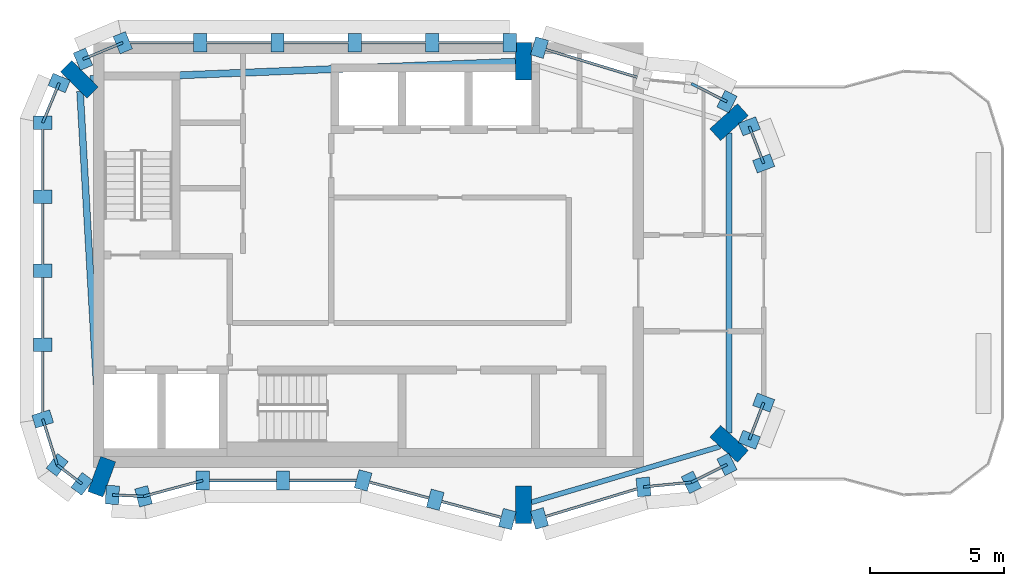
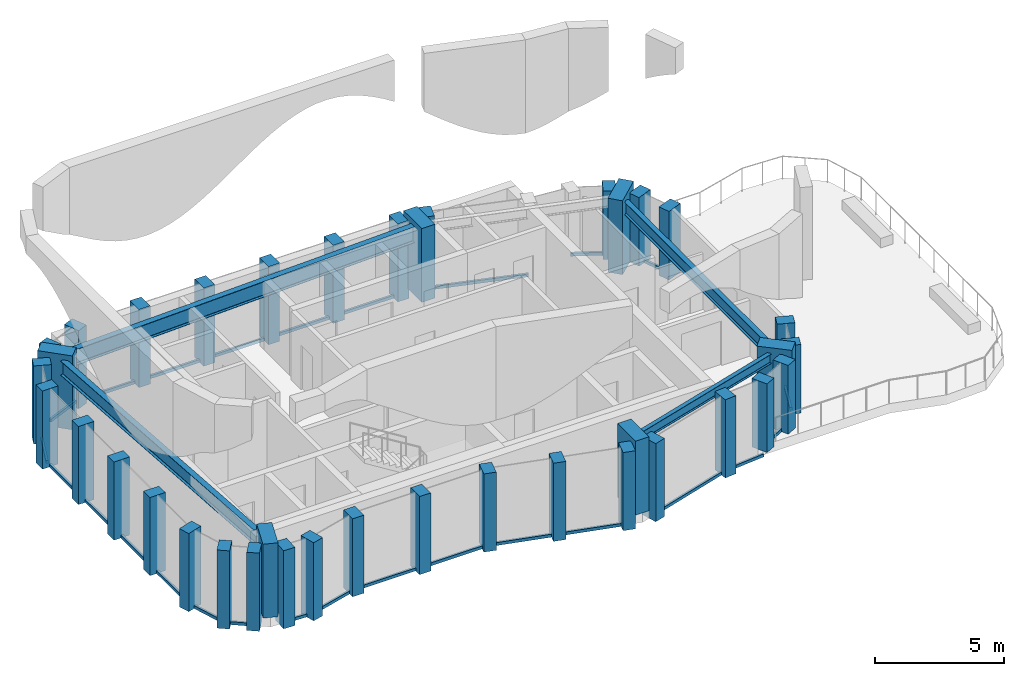
# One storey, part 1 of 7: 49 members, 6 columns, 4 beams, 17 elements without a shape of their own.
"""IFC4 building model written with IfcOpenShell, lengths in metres."""

from ifc_helpers import new_model, si_unit, direction, frame, origin, origin_2d, place, context, subcontext, project, spatial, rectangle, i_section, extrude, material, layer, layer_set, material_profile, profile_set, type_object, element, aggregate, save


model = new_model("IFC4")

# Units and contexts
model_context = context("Model", 3, precision=1e-05, world=origin(), true_north=direction((0.0, 1.0)))
body_context = subcontext(model_context, "Body", "Model", "MODEL_VIEW")
ifc_project = project(units=[si_unit("LENGTHUNIT", "METRE"), si_unit("AREAUNIT", "SQUARE_METRE"), si_unit("VOLUMEUNIT", "CUBIC_METRE"), si_unit("PLANEANGLEUNIT", "RADIAN"), si_unit("MASSUNIT", "GRAM", prefix="KILO")], contexts=[model_context])

# Site, building, storey
site_placement = place(None, origin())
site = spatial("IfcSite", under=ifc_project, at=site_placement, CompositionType="ELEMENT")
building_placement = place(site_placement, origin())
building = spatial("IfcBuilding", under=site, at=building_placement, Name="Plateau Cross Towers", CompositionType="ELEMENT")
storey_placement = place(building_placement, frame((0.0, 0.0, 301.89990234375)))
storey = spatial("IfcBuildingStorey", under=building, at=storey_placement, Name="L80 Crown 3", CompositionType="ELEMENT", Elevation=301.89990234375)

# Columns
ifc_material_1 = material(Name="Concrete C60/75", Category="concrete")
ifc_material_profile_1 = material_profile(ifc_material_1, rectangle(XDim=0.60009765625, YDim=1.39990234375, at=origin_2d()), Name="RC 600x1400")
ifc_profile_set_1 = profile_set([ifc_material_profile_1], Name="Concrete C60/75")
column_type = type_object("IfcColumnType", Name="Fin pier column RC 600x1400", PredefinedType="COLUMN", material=ifc_profile_set_1)
for number, where, z_axis, x_axis, name in (
    (1, (18.0, 0.699951171875, 0.0), (0.0, 0.0, 1.0), (1.0, 0.0, 0.0), "PR1 L80 Crown 3"),
    (2, (25.703125, 2.97705078125, 0.0), (0.0, 0.0, 1.0), (0.672084253376, 0.740474683135, 0.0), "PR19 L80 Crown 3"),
    (3, (25.703125, 15.02294921875, 0.0), (0.0, 0.0, 1.0), (-0.672084253376, 0.740474683135, 0.0), "PR20 L80 Crown 3"),
    (4, (18.0, 17.300048828125, 0.0), (0.0, 0.0, 1.0), (1.0, 0.0, 0.0), "PR13 L80 Crown 3"),
    (5, (1.37353515625, 16.62646484375, 0.0), (0.0, 0.0, 1.0), (0.707106781187, 0.707106781187, 0.0), "PR14 L80 Crown 3"),
    (6, (2.213134765625, 1.748046875, 0.0), (0.0, 0.0, 1.0), (-0.939664280925, 0.342097996418, 0.0), "PR12 L80 Crown 3"),
):
    element("IfcColumn", number, at=place(storey_placement, frame(where, z_axis=z_axis, x_axis=x_axis)), inside=storey, type_object=column_type, Name=name, PredefinedType="COLUMN", context=body_context, shape_type="SweptSolid", body=[
        extrude(rectangle(XDim=0.60009765625, YDim=1.39990234375, at=origin_2d()), origin(), (0.0, 0.0, 1.0), 3.5),
    ])

# Beams
ifc_material_2 = material(Name="Steel S355", Category="steel")
ifc_material_profile_2 = material_profile(ifc_material_2, i_section(OverallWidth=0.18994140625, OverallDepth=0.453369140625, WebThickness=0.008544921875, FlangeThickness=0.0126953125, FilletRadius=0.01025390625, at=origin_2d()), Name="UB 457x191x67")
ifc_profile_set_2 = profile_set([ifc_material_profile_2], Name="Steel S355")
beam_type_1 = type_object("IfcBeamType", Name="Crown ring beam UB 457x191x67", PredefinedType="BEAM", material=ifc_profile_set_2)
beam_1_placement = place(storey_placement, frame((18.300048828125, 0.78857421875, 3.0234375), z_axis=(0.958969404993, 0.283509577064, 0.0), x_axis=(-0.283509577064, 0.958969404993, 0.0)))
element("IfcBeam", 7, at=beam_1_placement, inside=storey, type_object=beam_type_1, Name="CRB-L80 Crown 3-01", PredefinedType="BEAM", context=body_context, shape_type="SweptSolid", body=[
    extrude(i_section(OverallWidth=0.18994140625, OverallDepth=0.453369140625, WebThickness=0.008544921875, FlangeThickness=0.0126953125, FilletRadius=0.01025390625, at=origin_2d()), origin(), (0.0, 0.0, 1.0), 7.36865234375),
])
ifc_material_profile_3 = material_profile(ifc_material_2, i_section(OverallWidth=0.228271484375, OverallDepth=0.607666015625, WebThickness=0.010986328125, FlangeThickness=0.017333984375, FilletRadius=0.0126953125, at=origin_2d()), Name="UB 610x229x113")
ifc_profile_set_3 = profile_set([ifc_material_profile_3], Name="Steel S355")
beam_type_2 = type_object("IfcBeamType", Name="Crown ring beam UB 610x229x113", PredefinedType="BEAM", material=ifc_profile_set_3)
beam_2_placement = place(storey_placement, frame((25.703125, 3.38232421875, 2.9462890625), z_axis=(0.0, 1.0, 0.0), x_axis=(-1.0, 0.0, 0.0)))
element("IfcBeam", 8, at=beam_2_placement, inside=storey, type_object=beam_type_2, Name="CRB-L80 Crown 3-02", PredefinedType="BEAM", context=body_context, shape_type="SweptSolid", body=[
    extrude(i_section(OverallWidth=0.228271484375, OverallDepth=0.607666015625, WebThickness=0.010986328125, FlangeThickness=0.017333984375, FilletRadius=0.0126953125, at=origin_2d()), origin(), (0.0, 0.0, 1.0), 11.2353515625),
])
ifc_material_profile_4 = material_profile(ifc_material_2, i_section(OverallWidth=0.2529296875, OverallDepth=0.677978515625, WebThickness=0.01171875, FlangeThickness=0.01611328125, FilletRadius=0.01513671875, at=origin_2d()), Name="UB 686x254x125")
ifc_profile_set_4 = profile_set([ifc_material_profile_4], Name="Steel S355")
beam_type_3 = type_object("IfcBeamType", Name="Crown ring beam UB 686x254x125", PredefinedType="BEAM", material=ifc_profile_set_4)
beam_3_placement = place(storey_placement, frame((1.39892578125, 16.1767578125, 2.9111328125), z_axis=(0.056348976318, -0.998411134187, 0.0), x_axis=(0.998411134187, 0.056348976318, 0.0)))
element("IfcBeam", 9, at=beam_3_placement, inside=storey, type_object=beam_type_3, Name="CRB-L80 Crown 3-05", PredefinedType="BEAM", context=body_context, shape_type="SweptSolid", body=[
    extrude(i_section(OverallWidth=0.2529296875, OverallDepth=0.677978515625, WebThickness=0.01171875, FlangeThickness=0.01611328125, FilletRadius=0.01513671875, at=origin_2d()), origin(), (0.0, 0.0, 1.0), 13.691162109375),
])
ifc_material_profile_5 = material_profile(ifc_material_2, i_section(OverallWidth=0.26513671875, OverallDepth=0.75390625, WebThickness=0.0126953125, FlangeThickness=0.017578125, FilletRadius=0.0166015625, at=origin_2d()), Name="UB 762x267x147")
ifc_profile_set_5 = profile_set([ifc_material_profile_5], Name="Steel S355")
beam_type_4 = type_object("IfcBeamType", Name="Crown ring beam UB 762x267x147", PredefinedType="BEAM", material=ifc_profile_set_5)
beam_4_placement = place(storey_placement, frame((17.699951171875, 17.287841796875, 2.873046875), z_axis=(-0.999180065047, -0.040487005488, 0.0), x_axis=(0.040487005488, -0.999180065047, 0.0)))
element("IfcBeam", 10, at=beam_4_placement, inside=storey, type_object=beam_type_4, Name="CRB-L80 Crown 3-04", PredefinedType="BEAM", context=body_context, shape_type="SweptSolid", body=[
    extrude(i_section(OverallWidth=0.26513671875, OverallDepth=0.75390625, WebThickness=0.0126953125, FlangeThickness=0.017578125, FilletRadius=0.0166015625, at=origin_2d()), origin(), (0.0, 0.0, 1.0), 15.931640625),
])

# Curtain wall, member
ifc_material_3 = material(Name="Dark low-iron glass", Category="glass")
ifc_layer = layer(ifc_material_3, 0.800048828125)
ifc_layer_set = layer_set([ifc_layer], Name="Dark low-iron glass")
curtain_wall_type = type_object("IfcCurtainWallType", Name="Curtain wall sky lounge CW-D", PredefinedType="NOTDEFINED", material=ifc_layer_set)
curtain_wall_1_placement = place(storey_placement, origin())
curtain_wall_1 = element("IfcCurtainWall", 11, at=curtain_wall_1_placement, inside=storey, type_object=curtain_wall_type, Name="ENV/A/L80 Crown 3/A38_10", PredefinedType="NOTDEFINED")
ifc_material_4 = material(Name="Black anodised aluminium", Category="aluminium")
ifc_material_profile_6 = material_profile(ifc_material_4, rectangle(XDim=0.5, YDim=0.699951171875, at=origin_2d()), Name="MULLION 500x700")
ifc_profile_set_6 = profile_set([ifc_material_profile_6], Name="Black anodised aluminium")
member_type_1 = type_object("IfcMemberType", Name="Mullion 500x700 sky lounge", PredefinedType="MULLION", material=ifc_profile_set_6)
member_1_placement = place(storey_placement, frame((3.776123046875, 1.01123046875, -0.449951171875), z_axis=(0.0, 0.0, 1.0), x_axis=(0.965957962328, 0.258699081978, 0.0)))
member_1 = element("IfcMember", 12, at=member_1_placement, type_object=member_type_1, Name="CW-D mullion 1", PredefinedType="MULLION", context=body_context, shape_type="SweptSolid", body=[
    extrude(rectangle(XDim=0.5, YDim=0.699951171875, at=origin_2d()), origin(), (0.0, 0.0, 1.0), 3.699951171875),
])

# Curtain wall, members
curtain_wall_2_placement = place(storey_placement, origin())
curtain_wall_2 = element("IfcCurtainWall", 13, at=curtain_wall_2_placement, inside=storey, type_object=curtain_wall_type, Name="ENV/A/L80 Crown 3/A60_16", PredefinedType="NOTDEFINED")
member_2_placement = place(storey_placement, frame((6.0, 1.60693359375, -0.449951171875), z_axis=(0.0, 0.0, 1.0), x_axis=(1.0, 0.0, 0.0)))
member_2 = element("IfcMember", 14, at=member_2_placement, type_object=member_type_1, Name="CW-D mullion 1", PredefinedType="MULLION", context=body_context, shape_type="SweptSolid", body=[
    extrude(rectangle(XDim=0.5, YDim=0.699951171875, at=origin_2d()), origin(), (0.0, 0.0, 1.0), 3.699951171875),
])
member_3_placement = place(storey_placement, frame((9.0, 1.60693359375, -0.449951171875), z_axis=(0.0, 0.0, 1.0), x_axis=(1.0, 0.0, 0.0)))
member_3 = element("IfcMember", 15, at=member_3_placement, type_object=member_type_1, Name="CW-D mullion 2", PredefinedType="MULLION", context=body_context, shape_type="SweptSolid", body=[
    extrude(rectangle(XDim=0.5, YDim=0.699951171875, at=origin_2d()), origin(), (0.0, 0.0, 1.0), 3.699951171875),
])

curtain_wall_3_placement = place(storey_placement, origin())
curtain_wall_3 = element("IfcCurtainWall", 16, at=curtain_wall_3_placement, inside=storey, type_object=curtain_wall_type, Name="ENV/A/L80 Crown 3/A120_16", PredefinedType="NOTDEFINED")
member_4_placement = place(storey_placement, frame((12.0, 1.60693359375, -0.449951171875), z_axis=(0.0, 0.0, 1.0), x_axis=(0.965957983404, -0.258699003279, 0.0)))
member_4 = element("IfcMember", 17, at=member_4_placement, type_object=member_type_1, Name="CW-D mullion 1", PredefinedType="MULLION", context=body_context, shape_type="SweptSolid", body=[
    extrude(rectangle(XDim=0.5, YDim=0.699951171875, at=origin_2d()), origin(), (0.0, 0.0, 1.0), 3.699951171875),
])
member_5_placement = place(storey_placement, frame((14.70166015625, 0.88330078125, -0.449951171875), z_axis=(0.0, 0.0, 1.0), x_axis=(0.965957983404, -0.258699003279, 0.0)))
member_5 = element("IfcMember", 18, at=member_5_placement, type_object=member_type_1, Name="CW-D mullion 2", PredefinedType="MULLION", context=body_context, shape_type="SweptSolid", body=[
    extrude(rectangle(XDim=0.5, YDim=0.699951171875, at=origin_2d()), origin(), (0.0, 0.0, 1.0), 3.699951171875),
])
member_6_placement = place(storey_placement, frame((17.403076171875, 0.159912109375, -0.449951171875), z_axis=(0.0, 0.0, 1.0), x_axis=(0.965957983404, -0.258699003279, 0.0)))
member_6 = element("IfcMember", 19, at=member_6_placement, type_object=member_type_1, Name="CW-D mullion 3", PredefinedType="MULLION", context=body_context, shape_type="SweptSolid", body=[
    extrude(rectangle(XDim=0.5, YDim=0.699951171875, at=origin_2d()), origin(), (0.0, 0.0, 1.0), 3.699951171875),
])

# Curtain wall, member
curtain_wall_4_placement = place(storey_placement, origin())
curtain_wall_4 = element("IfcCurtainWall", 20, at=curtain_wall_4_placement, inside=storey, type_object=curtain_wall_type, Name="ENV/A/L80 Crown 3/A186_2", PredefinedType="NOTDEFINED")
member_7_placement = place(storey_placement, frame((18.60546875, 0.183349609375, -0.449951171875), z_axis=(0.0, 0.0, 1.0), x_axis=(0.957048328724, 0.289928433386, 0.0)))
member_7 = element("IfcMember", 21, at=member_7_placement, type_object=member_type_1, Name="CW-D mullion 1", PredefinedType="MULLION", context=body_context, shape_type="SweptSolid", body=[
    extrude(rectangle(XDim=0.5, YDim=0.699951171875, at=origin_2d()), origin(), (0.0, 0.0, 1.0), 3.699951171875),
])

curtain_wall_5_placement = place(storey_placement, origin())
curtain_wall_5 = element("IfcCurtainWall", 22, at=curtain_wall_5_placement, inside=storey, type_object=curtain_wall_type, Name="ENV/A/L80 Crown 3/A225_14", PredefinedType="NOTDEFINED")
member_8_placement = place(storey_placement, frame((22.5, 1.36328125, -0.449951171875), z_axis=(0.0, 0.0, 1.0), x_axis=(0.995322680406, 0.096606220658, 0.0)))
member_8 = element("IfcMember", 23, at=member_8_placement, type_object=member_type_1, Name="CW-D mullion 1", PredefinedType="MULLION", context=body_context, shape_type="SweptSolid", body=[
    extrude(rectangle(XDim=0.5, YDim=0.699951171875, at=origin_2d()), origin(), (0.0, 0.0, 1.0), 3.699951171875),
])

# Curtain wall, members
curtain_wall_6_placement = place(storey_placement, origin())
curtain_wall_6 = element("IfcCurtainWall", 24, at=curtain_wall_6_placement, inside=storey, type_object=curtain_wall_type, Name="ENV/A/L80 Crown 3/A243_15", PredefinedType="NOTDEFINED")
member_9_placement = place(storey_placement, frame((24.289794921875, 1.536865234375, 0.0), z_axis=(0.0, 0.0, 1.0), x_axis=(0.893702121293, 0.448660805505, 0.0)))
member_9 = element("IfcMember", 25, at=member_9_placement, type_object=member_type_1, Name="CW-D mullion 1", PredefinedType="MULLION", context=body_context, shape_type="SweptSolid", body=[
    extrude(rectangle(XDim=0.5, YDim=0.699951171875, at=origin_2d()), origin(), (0.0, 0.0, 1.0), 3.25),
])
member_10_placement = place(storey_placement, frame((25.623779296875, 2.20654296875, 0.0), z_axis=(0.0, 0.0, 1.0), x_axis=(0.893702121293, 0.448660805505, 0.0)))
member_10 = element("IfcMember", 26, at=member_10_placement, type_object=member_type_1, Name="CW-D mullion 2", PredefinedType="MULLION", context=body_context, shape_type="SweptSolid", body=[
    extrude(rectangle(XDim=0.5, YDim=0.699951171875, at=origin_2d()), origin(), (0.0, 0.0, 1.0), 3.25),
])

curtain_wall_7_placement = place(storey_placement, origin())
curtain_wall_7 = element("IfcCurtainWall", 27, at=curtain_wall_7_placement, inside=storey, type_object=curtain_wall_type, Name="ENV/A/L80 Crown 3/A265_31", PredefinedType="NOTDEFINED")
member_11_placement = place(storey_placement, frame((26.46240234375, 3.130615234375, 0.0), z_axis=(0.0, 0.0, 1.0), x_axis=(0.360225826244, 0.932865131789, 0.0)))
member_11 = element("IfcMember", 28, at=member_11_placement, type_object=member_type_1, Name="CW-D mullion 1", PredefinedType="MULLION", context=body_context, shape_type="SweptSolid", body=[
    extrude(rectangle(XDim=0.5, YDim=0.699951171875, at=origin_2d()), origin(), (0.0, 0.0, 1.0), 3.25),
])
member_12_placement = place(storey_placement, frame((27.0, 4.52294921875, 0.0), z_axis=(0.0, 0.0, 1.0), x_axis=(0.360225826244, 0.932865131789, 0.0)))
member_12 = element("IfcMember", 29, at=member_12_placement, type_object=member_type_1, Name="CW-D mullion 2", PredefinedType="MULLION", context=body_context, shape_type="SweptSolid", body=[
    extrude(rectangle(XDim=0.5, YDim=0.699951171875, at=origin_2d()), origin(), (0.0, 0.0, 1.0), 3.25),
])

curtain_wall_8_placement = place(storey_placement, origin())
curtain_wall_8 = element("IfcCurtainWall", 30, at=curtain_wall_8_placement, inside=storey, type_object=curtain_wall_type, Name="ENV/A/L80 Crown 3/A270_135", PredefinedType="NOTDEFINED")
member_13_placement = place(storey_placement, frame((27.0, 13.47705078125, 0.0), z_axis=(0.0, 0.0, 1.0), x_axis=(-0.360225826244, 0.932865131789, 0.0)))
member_13 = element("IfcMember", 31, at=member_13_placement, type_object=member_type_1, Name="CW-D mullion 1", PredefinedType="MULLION", context=body_context, shape_type="SweptSolid", body=[
    extrude(rectangle(XDim=0.5, YDim=0.699951171875, at=origin_2d()), origin(), (0.0, 0.0, 1.0), 3.25),
])
member_14_placement = place(storey_placement, frame((26.46240234375, 14.869384765625, 0.0), z_axis=(0.0, 0.0, 1.0), x_axis=(-0.360225826244, 0.932865131789, 0.0)))
member_14 = element("IfcMember", 32, at=member_14_placement, type_object=member_type_1, Name="CW-D mullion 2", PredefinedType="MULLION", context=body_context, shape_type="SweptSolid", body=[
    extrude(rectangle(XDim=0.5, YDim=0.699951171875, at=origin_2d()), origin(), (0.0, 0.0, 1.0), 3.25),
])

# Curtain wall, member
curtain_wall_9_placement = place(storey_placement, origin())
curtain_wall_9 = element("IfcCurtainWall", 33, at=curtain_wall_9_placement, inside=storey, type_object=curtain_wall_type, Name="ENV/A/L80 Crown 3/A256_158", PredefinedType="NOTDEFINED")
member_15_placement = place(storey_placement, frame((25.623779296875, 15.79345703125, 0.0), z_axis=(0.0, 0.0, 1.0), x_axis=(-0.893702121293, 0.448660805505, 0.0)))
member_15 = element("IfcMember", 34, at=member_15_placement, type_object=member_type_1, Name="CW-D mullion 1", PredefinedType="MULLION", context=body_context, shape_type="SweptSolid", body=[
    extrude(rectangle(XDim=0.5, YDim=0.699951171875, at=origin_2d()), origin(), (0.0, 0.0, 1.0), 3.25),
])

curtain_wall_10_placement = place(storey_placement, origin())
curtain_wall_10 = element("IfcCurtainWall", 35, at=curtain_wall_10_placement, inside=storey, type_object=curtain_wall_type, Name="ENV/A/L80 Crown 3/A225_166", PredefinedType="NOTDEFINED")
member_16_placement = place(storey_placement, frame((18.60546875, 17.816650390625, -0.449951171875), z_axis=(0.0, 0.0, 1.0), x_axis=(-0.957048328724, 0.289928433386, 0.0)))
member_16 = element("IfcMember", 36, at=member_16_placement, type_object=member_type_1, Name="CW-D mullion 2", PredefinedType="MULLION", context=body_context, shape_type="SweptSolid", body=[
    extrude(rectangle(XDim=0.5, YDim=0.699951171875, at=origin_2d()), origin(), (0.0, 0.0, 1.0), 3.699951171875),
])

# Curtain wall, members
curtain_wall_11_placement = place(storey_placement, origin())
curtain_wall_11 = element("IfcCurtainWall", 37, at=curtain_wall_11_placement, inside=storey, type_object=curtain_wall_type, Name="ENV/A/L80 Crown 3/A175_180", PredefinedType="NOTDEFINED")
member_17_placement = place(storey_placement, frame((17.485107421875, 18.0, -0.449951171875), z_axis=(0.0, 0.0, 1.0), x_axis=(-1.0, 0.0, 0.0)))
member_17 = element("IfcMember", 38, at=member_17_placement, type_object=member_type_1, Name="CW-D mullion 1", PredefinedType="MULLION", context=body_context, shape_type="SweptSolid", body=[
    extrude(rectangle(XDim=0.5, YDim=0.699951171875, at=origin_2d()), origin(), (0.0, 0.0, 1.0), 3.699951171875),
])
member_18_placement = place(storey_placement, frame((14.587890625, 18.0, -0.449951171875), z_axis=(0.0, 0.0, 1.0), x_axis=(-1.0, 0.0, 0.0)))
member_18 = element("IfcMember", 39, at=member_18_placement, type_object=member_type_1, Name="CW-D mullion 2", PredefinedType="MULLION", context=body_context, shape_type="SweptSolid", body=[
    extrude(rectangle(XDim=0.5, YDim=0.699951171875, at=origin_2d()), origin(), (0.0, 0.0, 1.0), 3.699951171875),
])
member_19_placement = place(storey_placement, frame((11.69091796875, 18.0, -0.449951171875), z_axis=(0.0, 0.0, 1.0), x_axis=(-1.0, 0.0, 0.0)))
member_19 = element("IfcMember", 40, at=member_19_placement, type_object=member_type_1, Name="CW-D mullion 3", PredefinedType="MULLION", context=body_context, shape_type="SweptSolid", body=[
    extrude(rectangle(XDim=0.5, YDim=0.699951171875, at=origin_2d()), origin(), (0.0, 0.0, 1.0), 3.699951171875),
])
member_20_placement = place(storey_placement, frame((8.7939453125, 18.0, -0.449951171875), z_axis=(0.0, 0.0, 1.0), x_axis=(-1.0, 0.0, 0.0)))
member_20 = element("IfcMember", 41, at=member_20_placement, type_object=member_type_1, Name="CW-D mullion 4", PredefinedType="MULLION", context=body_context, shape_type="SweptSolid", body=[
    extrude(rectangle(XDim=0.5, YDim=0.699951171875, at=origin_2d()), origin(), (0.0, 0.0, 1.0), 3.699951171875),
])
member_21_placement = place(storey_placement, frame((5.89697265625, 18.0, -0.449951171875), z_axis=(0.0, 0.0, 1.0), x_axis=(-1.0, 0.0, 0.0)))
member_21 = element("IfcMember", 42, at=member_21_placement, type_object=member_type_1, Name="CW-D mullion 5", PredefinedType="MULLION", context=body_context, shape_type="SweptSolid", body=[
    extrude(rectangle(XDim=0.5, YDim=0.699951171875, at=origin_2d()), origin(), (0.0, 0.0, 1.0), 3.699951171875),
])

curtain_wall_12_placement = place(storey_placement, origin())
curtain_wall_12 = element("IfcCurtainWall", 43, at=curtain_wall_12_placement, inside=storey, type_object=curtain_wall_type, Name="ENV/A/L80 Crown 3/A30_180", PredefinedType="NOTDEFINED")
member_22_placement = place(storey_placement, frame((3.0, 18.0, -0.449951171875), z_axis=(0.0, 0.0, 1.0), x_axis=(-0.923879457699, -0.382683612978, 0.0)))
member_22 = element("IfcMember", 44, at=member_22_placement, type_object=member_type_1, Name="CW-D mullion 1", PredefinedType="MULLION", context=body_context, shape_type="SweptSolid", body=[
    extrude(rectangle(XDim=0.5, YDim=0.699951171875, at=origin_2d()), origin(), (0.0, 0.0, 1.0), 3.699951171875),
])
member_23_placement = place(storey_placement, frame((1.50830078125, 17.382080078125, -0.449951171875), z_axis=(0.0, 0.0, 1.0), x_axis=(-0.923879457699, -0.382683612978, 0.0)))
member_23 = element("IfcMember", 45, at=member_23_placement, type_object=member_type_1, Name="CW-D mullion 2", PredefinedType="MULLION", context=body_context, shape_type="SweptSolid", body=[
    extrude(rectangle(XDim=0.5, YDim=0.699951171875, at=origin_2d()), origin(), (0.0, 0.0, 1.0), 3.699951171875),
])

# Curtain wall, member
curtain_wall_13_placement = place(storey_placement, origin())
curtain_wall_13 = element("IfcCurtainWall", 46, at=curtain_wall_13_placement, inside=storey, type_object=curtain_wall_type, Name="ENV/A/L80 Crown 3/A6_165", PredefinedType="NOTDEFINED")
member_24_placement = place(storey_placement, frame((0.617919921875, 16.49169921875, -0.449951171875), z_axis=(0.0, 0.0, 1.0), x_axis=(-0.382683612978, -0.923879457699, 0.0)))
member_24 = element("IfcMember", 47, at=member_24_placement, type_object=member_type_1, Name="CW-D mullion 1", PredefinedType="MULLION", context=body_context, shape_type="SweptSolid", body=[
    extrude(rectangle(XDim=0.5, YDim=0.699951171875, at=origin_2d()), origin(), (0.0, 0.0, 1.0), 3.699951171875),
])

# Curtain wall, members
curtain_wall_14_placement = place(storey_placement, origin())
curtain_wall_14 = element("IfcCurtainWall", 48, at=curtain_wall_14_placement, inside=storey, type_object=curtain_wall_type, Name="ENV/A/L80 Crown 3/A0_150", PredefinedType="NOTDEFINED")
member_25_placement = place(storey_placement, frame((0.0, 15.0, -0.449951171875), z_axis=(0.0, 0.0, 1.0), x_axis=(0.0, -1.0, 0.0)))
member_25 = element("IfcMember", 49, at=member_25_placement, type_object=member_type_1, Name="CW-D mullion 1", PredefinedType="MULLION", context=body_context, shape_type="SweptSolid", body=[
    extrude(rectangle(XDim=0.5, YDim=0.699951171875, at=origin_2d()), origin(), (0.0, 0.0, 1.0), 3.699951171875),
])
member_26_placement = place(storey_placement, frame((0.0, 12.227294921875, -0.449951171875), z_axis=(0.0, 0.0, 1.0), x_axis=(0.0, -1.0, 0.0)))
member_26 = element("IfcMember", 50, at=member_26_placement, type_object=member_type_1, Name="CW-D mullion 2", PredefinedType="MULLION", context=body_context, shape_type="SweptSolid", body=[
    extrude(rectangle(XDim=0.5, YDim=0.699951171875, at=origin_2d()), origin(), (0.0, 0.0, 1.0), 3.699951171875),
])
member_27_placement = place(storey_placement, frame((0.0, 9.45458984375, -0.449951171875), z_axis=(0.0, 0.0, 1.0), x_axis=(0.0, -1.0, 0.0)))
member_27 = element("IfcMember", 51, at=member_27_placement, type_object=member_type_1, Name="CW-D mullion 3", PredefinedType="MULLION", context=body_context, shape_type="SweptSolid", body=[
    extrude(rectangle(XDim=0.5, YDim=0.699951171875, at=origin_2d()), origin(), (0.0, 0.0, 1.0), 3.699951171875),
])
member_28_placement = place(storey_placement, frame((0.0, 6.681884765625, -0.449951171875), z_axis=(0.0, 0.0, 1.0), x_axis=(0.0, -1.0, 0.0)))
member_28 = element("IfcMember", 52, at=member_28_placement, type_object=member_type_1, Name="CW-D mullion 4", PredefinedType="MULLION", context=body_context, shape_type="SweptSolid", body=[
    extrude(rectangle(XDim=0.5, YDim=0.699951171875, at=origin_2d()), origin(), (0.0, 0.0, 1.0), 3.699951171875),
])

# Curtain wall, member
curtain_wall_15_placement = place(storey_placement, origin())
curtain_wall_15 = element("IfcCurtainWall", 53, at=curtain_wall_15_placement, inside=storey, type_object=curtain_wall_type, Name="ENV/A/L80 Crown 3/A0_39", PredefinedType="NOTDEFINED")
member_29_placement = place(storey_placement, frame((0.0, 3.9091796875, -0.449951171875), z_axis=(0.0, 0.0, 1.0), x_axis=(0.300686174994, -0.95372313811, 0.0)))
member_29 = element("IfcMember", 54, at=member_29_placement, type_object=member_type_1, Name="CW-D mullion 1", PredefinedType="MULLION", context=body_context, shape_type="SweptSolid", body=[
    extrude(rectangle(XDim=0.5, YDim=0.699951171875, at=origin_2d()), origin(), (0.0, 0.0, 1.0), 3.699951171875),
])

# Curtain wall, members
curtain_wall_16_placement = place(storey_placement, origin())
curtain_wall_16 = element("IfcCurtainWall", 55, at=curtain_wall_16_placement, inside=storey, type_object=curtain_wall_type, Name="ENV/A/L80 Crown 3/A5_22", PredefinedType="NOTDEFINED")
member_30_placement = place(storey_placement, frame((0.54248046875, 2.1884765625, -0.449951171875), z_axis=(0.0, 0.0, 1.0), x_axis=(0.793315514529, -0.608810721331, 0.0)))
member_30 = element("IfcMember", 56, at=member_30_placement, type_object=member_type_1, Name="CW-D mullion 1", PredefinedType="MULLION", context=body_context, shape_type="SweptSolid", body=[
    extrude(rectangle(XDim=0.5, YDim=0.699951171875, at=origin_2d()), origin(), (0.0, 0.0, 1.0), 3.699951171875),
])
member_31_placement = place(storey_placement, frame((1.467529296875, 1.478515625, -0.449951171875), z_axis=(0.0, 0.0, 1.0), x_axis=(0.793315514529, -0.608810721331, 0.0)))
member_31 = element("IfcMember", 57, at=member_31_placement, type_object=member_type_1, Name="CW-D mullion 2", PredefinedType="MULLION", context=body_context, shape_type="SweptSolid", body=[
    extrude(rectangle(XDim=0.5, YDim=0.699951171875, at=origin_2d()), origin(), (0.0, 0.0, 1.0), 3.699951171875),
])

# Curtain wall, member
curtain_wall_17_placement = place(storey_placement, origin())
curtain_wall_17 = element("IfcCurtainWall", 58, at=curtain_wall_17_placement, inside=storey, type_object=curtain_wall_type, Name="ENV/A/L80 Crown 3/A26_11", PredefinedType="NOTDEFINED")
member_32_placement = place(storey_placement, frame((2.611083984375, 1.062255859375, -0.449951171875), z_axis=(0.0, 0.0, 1.0), x_axis=(0.999043701491, -0.043722791671, 0.0)))
member_32 = element("IfcMember", 59, at=member_32_placement, type_object=member_type_1, Name="CW-D mullion 1", PredefinedType="MULLION", context=body_context, shape_type="SweptSolid", body=[
    extrude(rectangle(XDim=0.5, YDim=0.699951171875, at=origin_2d()), origin(), (0.0, 0.0, 1.0), 3.699951171875),
])

# Member
ifc_material_profile_7 = material_profile(ifc_material_4, rectangle(XDim=0.10009765625, YDim=0.139892578125, at=origin_2d()), Name="TRANSOM 100x140")
ifc_profile_set_7 = profile_set([ifc_material_profile_7], Name="Black anodised aluminium")
member_type_2 = type_object("IfcMemberType", Name="Transom 100x140 sky lounge", PredefinedType="USERDEFINED", material=ifc_profile_set_7)
member_33_placement = place(storey_placement, frame((3.776123046875, 1.01123046875, -0.3798828125), z_axis=(0.965945685136, 0.258744919501, 0.0), x_axis=(-0.258744919501, 0.965945685136, 0.0)))
member_33 = element("IfcMember", 60, at=member_33_placement, type_object=member_type_2, Name="CW-D transom", ObjectType="TRANSOM", PredefinedType="USERDEFINED", context=body_context, shape_type="SweptSolid", body=[
    extrude(rectangle(XDim=0.10009765625, YDim=0.139892578125, at=origin_2d()), origin(), (0.0, 0.0, 1.0), 2.30224609375),
])

aggregate(curtain_wall_1, [member_1, member_33])

member_34_placement = place(storey_placement, frame((6.0, 1.60693359375, -0.3798828125), z_axis=(1.0, 0.0, 0.0), x_axis=(0.0, 1.0, 0.0)))
member_34 = element("IfcMember", 61, at=member_34_placement, type_object=member_type_2, Name="CW-D transom", ObjectType="TRANSOM", PredefinedType="USERDEFINED", context=body_context, shape_type="SweptSolid", body=[
    extrude(rectangle(XDim=0.10009765625, YDim=0.139892578125, at=origin_2d()), origin(), (0.0, 0.0, 1.0), 6.0),
])

aggregate(curtain_wall_2, [member_2, member_3, member_34])

member_35_placement = place(storey_placement, frame((12.0, 1.60693359375, -0.3798828125), z_axis=(0.965958374924, -0.258697541375, 0.0), x_axis=(0.258697541375, 0.965958374924, 0.0)))
member_35 = element("IfcMember", 62, at=member_35_placement, type_object=member_type_2, Name="CW-D transom", ObjectType="TRANSOM", PredefinedType="USERDEFINED", context=body_context, shape_type="SweptSolid", body=[
    extrude(rectangle(XDim=0.10009765625, YDim=0.139892578125, at=origin_2d()), origin(), (0.0, 0.0, 1.0), 5.593505859375),
])

aggregate(curtain_wall_3, [member_4, member_5, member_6, member_35])

member_36_placement = place(storey_placement, frame((18.60546875, 0.183349609375, -0.3798828125), z_axis=(0.957040045132, 0.289955775961, 0.0), x_axis=(-0.289955775961, 0.957040045132, 0.0)))
member_36 = element("IfcMember", 63, at=member_36_placement, type_object=member_type_2, Name="CW-D transom", ObjectType="TRANSOM", PredefinedType="USERDEFINED", context=body_context, shape_type="SweptSolid", body=[
    extrude(rectangle(XDim=0.10009765625, YDim=0.139892578125, at=origin_2d()), origin(), (0.0, 0.0, 1.0), 4.0693359375),
])

aggregate(curtain_wall_4, [member_7, member_36])

member_37_placement = place(storey_placement, frame((22.5, 1.36328125, -0.3798828125), z_axis=(0.995329836219, 0.096532466724, 0.0), x_axis=(-0.096532466724, 0.995329836219, 0.0)))
member_37 = element("IfcMember", 64, at=member_37_placement, type_object=member_type_2, Name="CW-D transom", ObjectType="TRANSOM", PredefinedType="USERDEFINED", context=body_context, shape_type="SweptSolid", body=[
    extrude(rectangle(XDim=0.10009765625, YDim=0.139892578125, at=origin_2d()), origin(), (0.0, 0.0, 1.0), 1.798095703125),
])

aggregate(curtain_wall_5, [member_8, member_37])

member_38_placement = place(storey_placement, frame((24.289794921875, 1.536865234375, 0.070068359375), z_axis=(0.893706357175, 0.448652367813, 0.0), x_axis=(-0.448652367813, 0.893706357175, 0.0)))
member_38 = element("IfcMember", 65, at=member_38_placement, type_object=member_type_2, Name="CW-D transom", ObjectType="TRANSOM", PredefinedType="USERDEFINED", context=body_context, shape_type="SweptSolid", body=[
    extrude(rectangle(XDim=0.10009765625, YDim=0.139892578125, at=origin_2d()), origin(), (0.0, 0.0, 1.0), 1.49267578125),
])

aggregate(curtain_wall_6, [member_9, member_10, member_38])

member_39_placement = place(storey_placement, frame((26.46240234375, 3.130615234375, 0.070068359375), z_axis=(0.360195479998, 0.932876849423, 0.0), x_axis=(-0.932876849423, 0.360195479998, 0.0)))
member_39 = element("IfcMember", 66, at=member_39_placement, type_object=member_type_2, Name="CW-D transom", ObjectType="TRANSOM", PredefinedType="USERDEFINED", context=body_context, shape_type="SweptSolid", body=[
    extrude(rectangle(XDim=0.10009765625, YDim=0.139892578125, at=origin_2d()), origin(), (0.0, 0.0, 1.0), 1.492431640625),
])

aggregate(curtain_wall_7, [member_11, member_12, member_39])

member_40_placement = place(storey_placement, frame((27.0, 13.47705078125, 0.070068359375), z_axis=(-0.360195479998, 0.932876849423, 0.0), x_axis=(-0.932876849423, -0.360195479998, 0.0)))
member_40 = element("IfcMember", 67, at=member_40_placement, type_object=member_type_2, Name="CW-D transom", ObjectType="TRANSOM", PredefinedType="USERDEFINED", context=body_context, shape_type="SweptSolid", body=[
    extrude(rectangle(XDim=0.10009765625, YDim=0.139892578125, at=origin_2d()), origin(), (0.0, 0.0, 1.0), 1.492431640625),
])

aggregate(curtain_wall_8, [member_13, member_14, member_40])

member_41_placement = place(storey_placement, frame((25.623779296875, 15.79345703125, 0.070068359375), z_axis=(-0.893706357175, 0.448652367813, 0.0), x_axis=(-0.448652367813, -0.893706357175, 0.0)))
member_41 = element("IfcMember", 68, at=member_41_placement, type_object=member_type_2, Name="CW-D transom", ObjectType="TRANSOM", PredefinedType="USERDEFINED", context=body_context, shape_type="SweptSolid", body=[
    extrude(rectangle(XDim=0.10009765625, YDim=0.139892578125, at=origin_2d()), origin(), (0.0, 0.0, 1.0), 1.49267578125),
])

aggregate(curtain_wall_9, [member_15, member_41])

member_42_placement = place(storey_placement, frame((22.5, 16.63671875, -0.3798828125), z_axis=(-0.957040045132, 0.289955775961, 0.0), x_axis=(-0.289955775961, -0.957040045132, 0.0)))
member_42 = element("IfcMember", 69, at=member_42_placement, type_object=member_type_2, Name="CW-D transom", ObjectType="TRANSOM", PredefinedType="USERDEFINED", context=body_context, shape_type="SweptSolid", body=[
    extrude(rectangle(XDim=0.10009765625, YDim=0.139892578125, at=origin_2d()), origin(), (0.0, 0.0, 1.0), 4.0693359375),
])

aggregate(curtain_wall_10, [member_16, member_42])

member_43_placement = place(storey_placement, frame((17.485107421875, 18.0, -0.3798828125), z_axis=(-1.0, 0.0, 0.0), x_axis=(0.0, -1.0, 0.0)))
member_43 = element("IfcMember", 70, at=member_43_placement, type_object=member_type_2, Name="CW-D transom", ObjectType="TRANSOM", PredefinedType="USERDEFINED", context=body_context, shape_type="SweptSolid", body=[
    extrude(rectangle(XDim=0.10009765625, YDim=0.139892578125, at=origin_2d()), origin(), (0.0, 0.0, 1.0), 14.485107421875),
])

aggregate(curtain_wall_11, [member_17, member_18, member_19, member_20, member_21, member_43])

member_44_placement = place(storey_placement, frame((3.0, 18.0, -0.3798828125), z_axis=(-0.923871238907, -0.382703454284, 0.0), x_axis=(0.382703454284, -0.923871238907, 0.0)))
member_44 = element("IfcMember", 71, at=member_44_placement, type_object=member_type_2, Name="CW-D transom", ObjectType="TRANSOM", PredefinedType="USERDEFINED", context=body_context, shape_type="SweptSolid", body=[
    extrude(rectangle(XDim=0.10009765625, YDim=0.139892578125, at=origin_2d()), origin(), (0.0, 0.0, 1.0), 1.614501953125),
])

aggregate(curtain_wall_12, [member_22, member_23, member_44])

member_45_placement = place(storey_placement, frame((0.617919921875, 16.49169921875, -0.3798828125), z_axis=(-0.382703454284, -0.923871238907, 0.0), x_axis=(0.923871238907, -0.382703454284, 0.0)))
member_45 = element("IfcMember", 72, at=member_45_placement, type_object=member_type_2, Name="CW-D transom", ObjectType="TRANSOM", PredefinedType="USERDEFINED", context=body_context, shape_type="SweptSolid", body=[
    extrude(rectangle(XDim=0.10009765625, YDim=0.139892578125, at=origin_2d()), origin(), (0.0, 0.0, 1.0), 1.614501953125),
])

aggregate(curtain_wall_13, [member_24, member_45])

member_46_placement = place(storey_placement, frame((0.0, 15.0, -0.3798828125), z_axis=(0.0, -1.0, 0.0), x_axis=(1.0, 0.0, 0.0)))
member_46 = element("IfcMember", 73, at=member_46_placement, type_object=member_type_2, Name="CW-D transom", ObjectType="TRANSOM", PredefinedType="USERDEFINED", context=body_context, shape_type="SweptSolid", body=[
    extrude(rectangle(XDim=0.10009765625, YDim=0.139892578125, at=origin_2d()), origin(), (0.0, 0.0, 1.0), 11.0908203125),
])

aggregate(curtain_wall_14, [member_25, member_26, member_27, member_28, member_46])

member_47_placement = place(storey_placement, frame((0.0, 3.9091796875, -0.3798828125), z_axis=(0.30067799945, -0.953725715626, 0.0), x_axis=(0.953725715626, 0.30067799945, 0.0)))
member_47 = element("IfcMember", 74, at=member_47_placement, type_object=member_type_2, Name="CW-D transom", ObjectType="TRANSOM", PredefinedType="USERDEFINED", context=body_context, shape_type="SweptSolid", body=[
    extrude(rectangle(XDim=0.10009765625, YDim=0.139892578125, at=origin_2d()), origin(), (0.0, 0.0, 1.0), 1.80419921875),
])

aggregate(curtain_wall_15, [member_29, member_47])

member_48_placement = place(storey_placement, frame((0.54248046875, 2.1884765625, -0.3798828125), z_axis=(0.793292864311, -0.608840234736, 0.0), x_axis=(0.608840234736, 0.793292864311, 0.0)))
member_48 = element("IfcMember", 75, at=member_48_placement, type_object=member_type_2, Name="CW-D transom", ObjectType="TRANSOM", PredefinedType="USERDEFINED", context=body_context, shape_type="SweptSolid", body=[
    extrude(rectangle(XDim=0.10009765625, YDim=0.139892578125, at=origin_2d()), origin(), (0.0, 0.0, 1.0), 1.166015625),
])

aggregate(curtain_wall_16, [member_30, member_31, member_48])

member_49_placement = place(storey_placement, frame((2.611083984375, 1.062255859375, -0.3798828125), z_axis=(0.999042282418, -0.043755204741, 0.0), x_axis=(0.043755204741, 0.999042282418, 0.0)))
member_49 = element("IfcMember", 76, at=member_49_placement, type_object=member_type_2, Name="CW-D transom", ObjectType="TRANSOM", PredefinedType="USERDEFINED", context=body_context, shape_type="SweptSolid", body=[
    extrude(rectangle(XDim=0.10009765625, YDim=0.139892578125, at=origin_2d()), origin(), (0.0, 0.0, 1.0), 1.166259765625),
])

aggregate(curtain_wall_17, [member_32, member_49])

save(model, "model.ifc")
